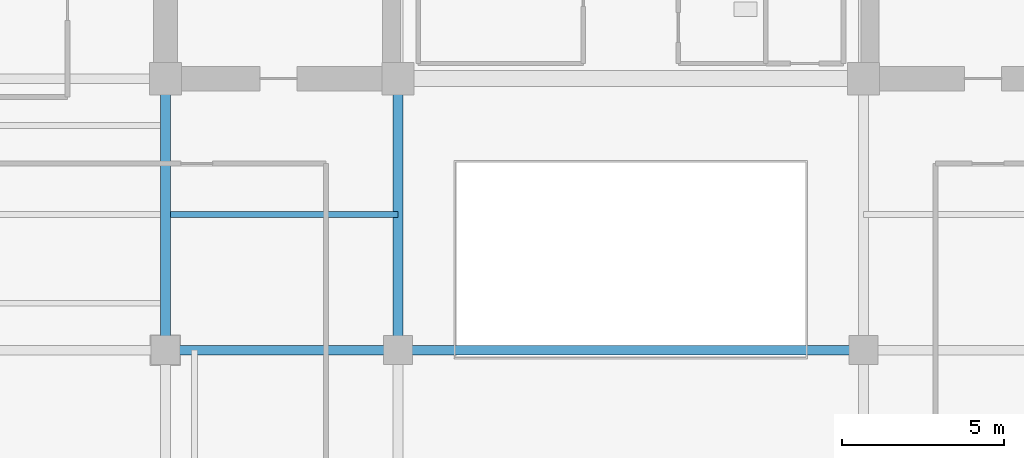
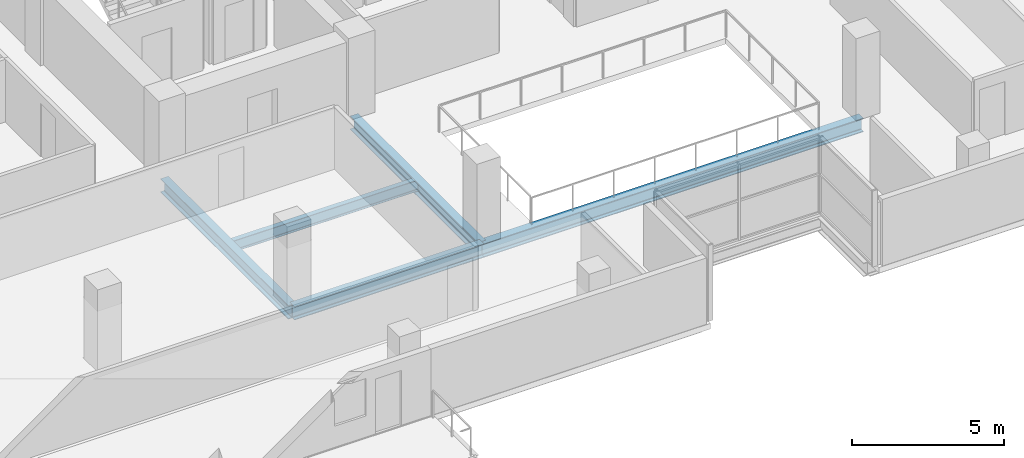
# One storey, part 5 of 28: 5 beams.
"""IFC4 building model written with IfcOpenShell, lengths in metres."""

from ifc_helpers import new_model, si_unit, direction, frame, origin, origin_2d, place, context, subcontext, project, spatial, i_section, extrude, material, material_profile, profile_set, type_object, element, save


model = new_model("IFC4")

# Units and contexts
model_context = context("Model", 3, precision=1e-05, world=origin(), true_north=direction((0.0, 1.0)))
body_context = subcontext(model_context, "Body", "Model", "MODEL_VIEW")
ifc_project = project(units=[si_unit("LENGTHUNIT", "METRE"), si_unit("AREAUNIT", "SQUARE_METRE"), si_unit("VOLUMEUNIT", "CUBIC_METRE"), si_unit("PLANEANGLEUNIT", "RADIAN"), si_unit("MASSUNIT", "GRAM", prefix="KILO")], contexts=[model_context])

# Site, building, storey
site_placement = place(None, origin())
site = spatial("IfcSite", under=ifc_project, at=site_placement, CompositionType="ELEMENT")
building_placement = place(site_placement, origin())
building = spatial("IfcBuilding", under=site, at=building_placement, Name="Zarnakvel Exchange Tower", CompositionType="ELEMENT")
storey_placement = place(building_placement, frame((0.0, 0.0, 90.10009765625)))
storey = spatial("IfcBuildingStorey", under=building, at=storey_placement, Name="L24", CompositionType="ELEMENT", Elevation=90.10009765625)

# Beams
ifc_material = material(Name="Steel S355", Category="steel")
ifc_material_profile_1 = material_profile(ifc_material, i_section(OverallWidth=0.18994140625, OverallDepth=0.449951171875, WebThickness=0.009521484375, FlangeThickness=0.0146484375, FilletRadius=0.02099609375, at=origin_2d()))
ifc_profile_set_1 = profile_set([ifc_material_profile_1], Name="Steel S355")
beam_type_1 = type_object("IfcBeamType", Name="B-05", PredefinedType="JOIST", material=ifc_profile_set_1)
beam_1_placement = place(storey_placement, frame((-14.25, -5.39990234375, -0.4501953125), z_axis=(1.0, 0.0, 0.0), x_axis=(0.0, 1.0, 0.0)))
element("IfcBeam", 1, at=beam_1_placement, inside=storey, type_object=beam_type_1, Name="L24 Composite Floor Secondary Joist", PredefinedType="JOIST", context=body_context, shape_type="SweptSolid", body=[
    extrude(i_section(OverallWidth=0.18994140625, OverallDepth=0.449951171875, WebThickness=0.009521484375, FlangeThickness=0.0146484375, FilletRadius=0.02099609375, at=origin_2d()), origin(), (0.0, 0.0, 1.0), 7.050048828125),
])
ifc_material_profile_2 = material_profile(ifc_material, i_section(OverallWidth=0.300048828125, OverallDepth=0.550048828125, WebThickness=0.014892578125, FlangeThickness=0.029052734375, FilletRadius=0.027099609375, at=origin_2d()))
ifc_profile_set_2 = profile_set([ifc_material_profile_2], Name="Steel S355")
beam_type_2 = type_object("IfcBeamType", Name="G-05", PredefinedType="BEAM", material=ifc_profile_set_2)
beam_2_placement = place(storey_placement, frame((-14.39990234375, -9.60009765625, -0.5), z_axis=(1.0, 0.0, 0.0), x_axis=(0.0, 1.0, 0.0)))
element("IfcBeam", 2, at=beam_2_placement, inside=storey, type_object=beam_type_2, Name="L24 Tower E-W Frame Beam", PredefinedType="BEAM", context=body_context, shape_type="SweptSolid", body=[
    extrude(i_section(OverallWidth=0.300048828125, OverallDepth=0.550048828125, WebThickness=0.014892578125, FlangeThickness=0.029052734375, FilletRadius=0.027099609375, at=origin_2d()), origin(), (0.0, 0.0, 1.0), 7.199951171875),
])
beam_3_placement = place(storey_placement, frame((-7.199951171875, -9.60009765625, -0.5), z_axis=(1.0, 0.0, 0.0), x_axis=(0.0, 1.0, 0.0)))
element("IfcBeam", 3, at=beam_3_placement, inside=storey, type_object=beam_type_2, Name="L24 Tower E-W Frame Beam", PredefinedType="BEAM", context=body_context, shape_type="SweptSolid", body=[
    extrude(i_section(OverallWidth=0.300048828125, OverallDepth=0.550048828125, WebThickness=0.014892578125, FlangeThickness=0.029052734375, FilletRadius=0.027099609375, at=origin_2d()), origin(), (0.0, 0.0, 1.0), 14.39990234375),
])
for number, where, z_axis, x_axis, name in (
    (4, (-14.39990234375, -9.60009765625, -0.5), (0.0, 1.0, 0.0), (-1.0, 0.0, 0.0), "L24 Tower N-S Frame Beam"),
    (5, (-7.199951171875, -9.60009765625, -0.5), (0.0, 1.0, 0.0), (-1.0, 0.0, 0.0), "L24 Tower N-S Frame Beam"),
):
    element("IfcBeam", number, at=place(storey_placement, frame(where, z_axis=z_axis, x_axis=x_axis)), inside=storey, type_object=beam_type_2, Name=name, PredefinedType="BEAM", context=body_context, shape_type="SweptSolid", body=[
        extrude(i_section(OverallWidth=0.300048828125, OverallDepth=0.550048828125, WebThickness=0.014892578125, FlangeThickness=0.029052734375, FilletRadius=0.027099609375, at=origin_2d()), origin(), (0.0, 0.0, 1.0), 8.400146484375),
    ])

save(model, "model.ifc")
